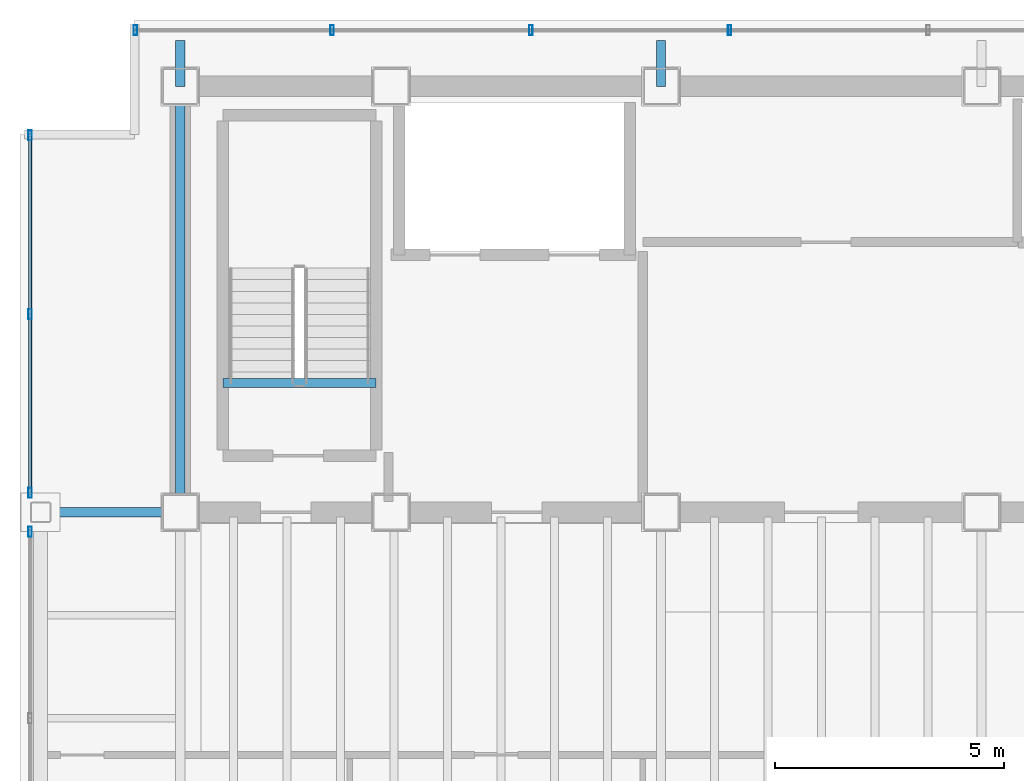
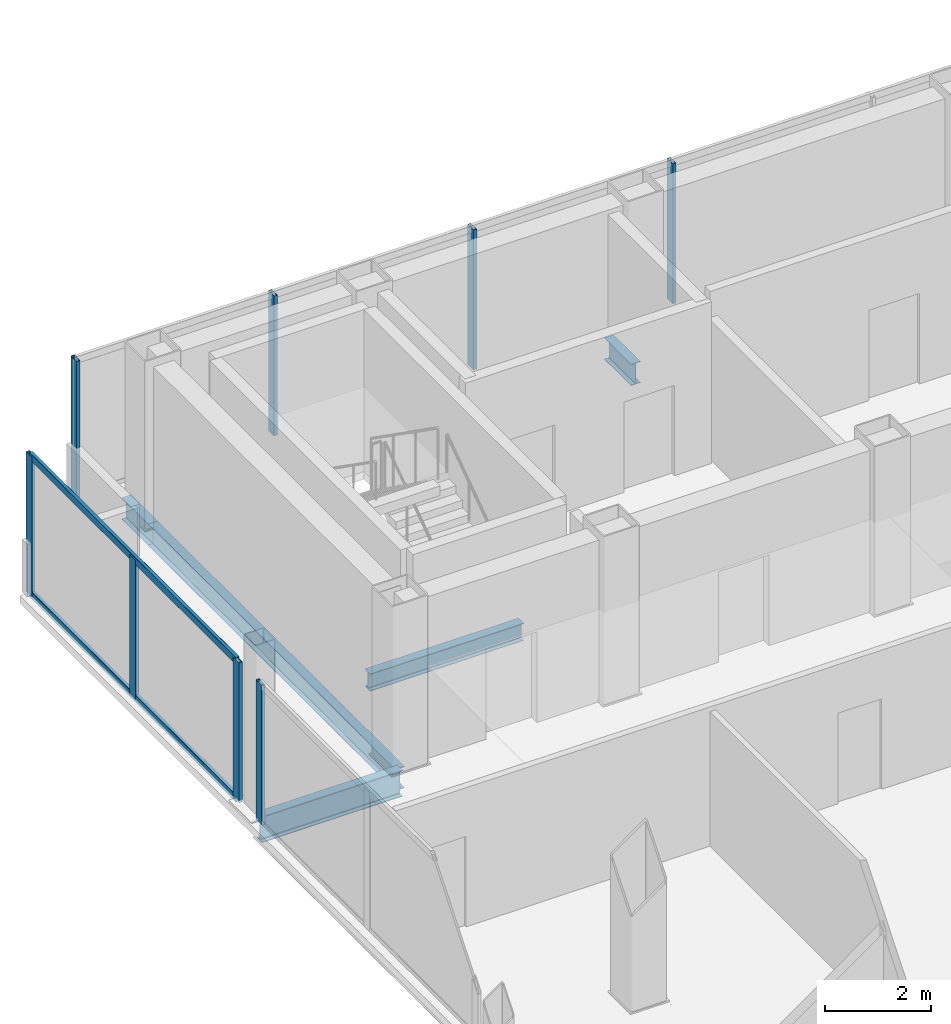
# One storey, part 6 of 15: 10 members, 5 beams, 3 elements without a shape of their own.
"""IFC4 building model written with IfcOpenShell, lengths in metres."""

from ifc_helpers import new_model, si_unit, direction, frame, origin, origin_2d, place, context, subcontext, project, spatial, hollow_rectangle, i_section, extrude, material, material_profile, profile_set, type_object, element, aggregate, save


model = new_model("IFC4")

# Units and contexts
model_context = context("Model", 3, precision=1e-05, world=origin(), true_north=direction((0.0, 1.0)))
body_context = subcontext(model_context, "Body", "Model", "MODEL_VIEW")
ifc_project = project(units=[si_unit("LENGTHUNIT", "METRE"), si_unit("AREAUNIT", "SQUARE_METRE"), si_unit("VOLUMEUNIT", "CUBIC_METRE"), si_unit("PLANEANGLEUNIT", "RADIAN"), si_unit("MASSUNIT", "GRAM", prefix="KILO")], contexts=[model_context])

# Site, building, storey
site_placement = place(None, origin())
site = spatial("IfcSite", under=ifc_project, at=site_placement, CompositionType="ELEMENT")
building_placement = place(site_placement, origin())
building = spatial("IfcBuilding", under=site, at=building_placement, Name="Noeulbin Bourse Tower", CompositionType="ELEMENT")
storey_placement = place(building_placement, frame((0.0, 0.0, 222.800048828125)))
storey = spatial("IfcBuildingStorey", under=building, at=storey_placement, Name="L55", CompositionType="ELEMENT", Elevation=222.800048828125)

# Beams
ifc_material_1 = material(Name="Steel S355", Category="steel")
ifc_material_profile_1 = material_profile(ifc_material_1, i_section(OverallWidth=0.199951171875, OverallDepth=0.5, WebThickness=0.010009765625, FlangeThickness=0.01611328125, FilletRadius=0.02001953125, at=origin_2d()), Name="H-500x200x10x16", Category="LoadBearing")
ifc_profile_set_1 = profile_set([ifc_material_profile_1], Name="Steel S355")
beam_type_1 = type_object("IfcBeamType", Name="BM-GRD-500", PredefinedType="USERDEFINED", material=ifc_profile_set_1)
beam_1_placement = place(storey_placement, frame((13.5, 29.0, -0.429931640625), z_axis=(0.0, 1.0, 0.0), x_axis=(-1.0, 0.0, 0.0)))
element("IfcBeam", 1, at=beam_1_placement, inside=storey, type_object=beam_type_1, Name="Tower Primary Girder NS L55-1.3", ObjectType="GIRDER", PredefinedType="USERDEFINED", context=body_context, shape_type="SweptSolid", body=[
    extrude(i_section(OverallWidth=0.199951171875, OverallDepth=0.5, WebThickness=0.010009765625, FlangeThickness=0.01611328125, FilletRadius=0.02001953125, at=origin_2d()), origin(), (0.0, 0.0, 1.0), 9.300048828125),
])
for number, where, z_axis, x_axis, name in (
    (2, (13.5, 38.300048828125, -0.429931640625), (0.0, 1.0, 0.0), (-1.0, 0.0, 0.0), "Tower Primary Girder NS L55-1.4"),
    (3, (24.0, 38.300048828125, -0.429931640625), (0.0, 1.0, 0.0), (-1.0, 0.0, 0.0), "Tower Primary Girder NS L55-2.4"),
):
    element("IfcBeam", number, at=place(storey_placement, frame(where, z_axis=z_axis, x_axis=x_axis)), inside=storey, type_object=beam_type_1, Name=name, ObjectType="GIRDER", PredefinedType="USERDEFINED", context=body_context, shape_type="SweptSolid", body=[
        extrude(i_section(OverallWidth=0.199951171875, OverallDepth=0.5, WebThickness=0.010009765625, FlangeThickness=0.01611328125, FilletRadius=0.02001953125, at=origin_2d()), origin(), (0.0, 0.0, 1.0), 1.0),
    ])
ifc_material_profile_2 = material_profile(ifc_material_1, i_section(OverallWidth=0.199951171875, OverallDepth=0.60009765625, WebThickness=0.010986328125, FlangeThickness=0.01708984375, FilletRadius=0.02197265625, at=origin_2d()), Name="H-600x200x11x17", Category="LoadBearing")
ifc_profile_set_2 = profile_set([ifc_material_profile_2], Name="Steel S355")
beam_type_2 = type_object("IfcBeamType", Name="BM-GRD-600", PredefinedType="USERDEFINED", material=ifc_profile_set_2)
beam_2_placement = place(storey_placement, frame((10.449951171875, 29.0, -0.47998046875), z_axis=(1.0, 0.0, 0.0), x_axis=(0.0, 1.0, 0.0)))
element("IfcBeam", 4, at=beam_2_placement, inside=storey, type_object=beam_type_2, Name="Tower Primary Girder EW L55-2.1", ObjectType="GIRDER", PredefinedType="USERDEFINED", context=body_context, shape_type="SweptSolid", body=[
    extrude(i_section(OverallWidth=0.199951171875, OverallDepth=0.60009765625, WebThickness=0.010986328125, FlangeThickness=0.01708984375, FilletRadius=0.02197265625, at=origin_2d()), origin(), (0.0, 0.0, 1.0), 3.050048828125),
])
ifc_material_profile_3 = material_profile(ifc_material_1, i_section(OverallWidth=0.199951171875, OverallDepth=0.39990234375, WebThickness=0.008056640625, FlangeThickness=0.012939453125, FilletRadius=0.01611328125, at=origin_2d()), Name="H-400x200x8x13", Category="LoadBearing")
ifc_profile_set_3 = profile_set([ifc_material_profile_3], Name="Steel S355")
beam_type_3 = type_object("IfcBeamType", Name="BM-SEC-400", PredefinedType="BEAM", material=ifc_profile_set_3)
beam_3_placement = place(storey_placement, frame((14.429931640625, 31.820068359375, -0.199951171875), z_axis=(1.0, 0.0, 0.0), x_axis=(0.0, 1.0, 0.0)))
element("IfcBeam", 5, at=beam_3_placement, inside=storey, type_object=beam_type_3, Name="Stair Threshold Trimmer Beam ST1-L55", PredefinedType="BEAM", context=body_context, shape_type="SweptSolid", body=[
    extrude(i_section(OverallWidth=0.199951171875, OverallDepth=0.39990234375, WebThickness=0.008056640625, FlangeThickness=0.012939453125, FilletRadius=0.01611328125, at=origin_2d()), origin(), (0.0, 0.0, 1.0), 3.340087890625),
])

# Curtain wall, members
ifc_material_2 = material(Name="High-Selectivity Low-Iron Glazing", Category="glass")
curtain_wall_type = type_object("IfcCurtainWallType", Name="CW-SYS-4", PredefinedType="NOTDEFINED", material=ifc_material_2)
curtain_wall_1_placement = place(storey_placement, origin())
curtain_wall_1 = element("IfcCurtainWall", 6, at=curtain_wall_1_placement, inside=storey, type_object=curtain_wall_type, Name="Unitised Curtain Wall CW-L55-N", PredefinedType="NOTDEFINED")
ifc_material_3 = material(Name="Anodised Aluminium 6063-T6", Category="aluminium")
ifc_material_profile_4 = material_profile(ifc_material_3, hollow_rectangle(XDim=0.074951171875, YDim=0.219970703125, WallThickness=0.0048828125, InnerFilletRadius=0.00244140625, OuterFilletRadius=0.0048828125, at=origin_2d()), Name="ALU-MULL-75x220x5", Category="LoadBearing")
ifc_profile_set_4 = profile_set([ifc_material_profile_4], Name="Anodised Aluminium 6063-T6")
member_type_1 = type_object("IfcMemberType", Name="CW-SYS-4-MUL", PredefinedType="MULLION", material=ifc_profile_set_4)
member_1_placement = place(storey_placement, frame((12.52001953125, 39.530029296875, -0.02001953125), z_axis=(0.0, 0.0, 1.0), x_axis=(1.0, 0.0, 0.0)))
member_1 = element("IfcMember", 7, at=member_1_placement, type_object=member_type_1, Name="Curtain Wall Mullion CW-L55-N-M00", PredefinedType="MULLION", context=body_context, shape_type="SweptSolid", body=[
    extrude(hollow_rectangle(XDim=0.074951171875, YDim=0.219970703125, WallThickness=0.0048828125, InnerFilletRadius=0.00244140625, OuterFilletRadius=0.0048828125, at=origin_2d()), origin(), (0.0, 0.0, 1.0), 3.219970703125),
])
member_2_placement = place(storey_placement, frame((16.81787109375, 39.530029296875, -0.02001953125), z_axis=(0.0, 0.0, 1.0), x_axis=(1.0, 0.0, 0.0)))
member_2 = element("IfcMember", 8, at=member_2_placement, type_object=member_type_1, Name="Curtain Wall Mullion CW-L55-N-M01", PredefinedType="MULLION", context=body_context, shape_type="SweptSolid", body=[
    extrude(hollow_rectangle(XDim=0.074951171875, YDim=0.219970703125, WallThickness=0.0048828125, InnerFilletRadius=0.00244140625, OuterFilletRadius=0.0048828125, at=origin_2d()), origin(), (0.0, 0.0, 1.0), 3.219970703125),
])
member_3_placement = place(storey_placement, frame((21.155517578125, 39.530029296875, -0.02001953125), z_axis=(0.0, 0.0, 1.0), x_axis=(1.0, 0.0, 0.0)))
member_3 = element("IfcMember", 9, at=member_3_placement, type_object=member_type_1, Name="Curtain Wall Mullion CW-L55-N-M02", PredefinedType="MULLION", context=body_context, shape_type="SweptSolid", body=[
    extrude(hollow_rectangle(XDim=0.074951171875, YDim=0.219970703125, WallThickness=0.0048828125, InnerFilletRadius=0.00244140625, OuterFilletRadius=0.0048828125, at=origin_2d()), origin(), (0.0, 0.0, 1.0), 3.219970703125),
])
member_4_placement = place(storey_placement, frame((25.493408203125, 39.530029296875, -0.02001953125), z_axis=(0.0, 0.0, 1.0), x_axis=(1.0, 0.0, 0.0)))
member_4 = element("IfcMember", 10, at=member_4_placement, type_object=member_type_1, Name="Curtain Wall Mullion CW-L55-N-M03", PredefinedType="MULLION", context=body_context, shape_type="SweptSolid", body=[
    extrude(hollow_rectangle(XDim=0.074951171875, YDim=0.219970703125, WallThickness=0.0048828125, InnerFilletRadius=0.00244140625, OuterFilletRadius=0.0048828125, at=origin_2d()), origin(), (0.0, 0.0, 1.0), 3.219970703125),
])
aggregate(curtain_wall_1, [member_1, member_2, member_3, member_4])

# Curtain wall, member
curtain_wall_2_placement = place(storey_placement, origin())
curtain_wall_2 = element("IfcCurtainWall", 11, at=curtain_wall_2_placement, inside=storey, type_object=curtain_wall_type, Name="Unitised Curtain Wall CW-L55-W-S2", PredefinedType="NOTDEFINED")
member_5_placement = place(storey_placement, frame((10.219970703125, 28.574951171875, -0.02001953125), z_axis=(0.0, 0.0, 1.0), x_axis=(1.0, 0.0, 0.0)))
member_5 = element("IfcMember", 12, at=member_5_placement, type_object=member_type_1, Name="Curtain Wall Mullion CW-L55-W-S2-M02", PredefinedType="MULLION", context=body_context, shape_type="SweptSolid", body=[
    extrude(hollow_rectangle(XDim=0.074951171875, YDim=0.219970703125, WallThickness=0.0048828125, InnerFilletRadius=0.00244140625, OuterFilletRadius=0.0048828125, at=origin_2d()), origin(), (0.0, 0.0, 1.0), 3.219970703125),
])
aggregate(curtain_wall_2, [member_5])

# Curtain wall, members
curtain_wall_3_placement = place(storey_placement, origin())
curtain_wall_3 = element("IfcCurtainWall", 13, at=curtain_wall_3_placement, inside=storey, type_object=curtain_wall_type, Name="Unitised Curtain Wall CW-L55-W-S3", PredefinedType="NOTDEFINED")
member_6_placement = place(storey_placement, frame((10.219970703125, 29.425048828125, -0.02001953125), z_axis=(0.0, 0.0, 1.0), x_axis=(1.0, 0.0, 0.0)))
member_6 = element("IfcMember", 14, at=member_6_placement, type_object=member_type_1, Name="Curtain Wall Mullion CW-L55-W-S3-M00", PredefinedType="MULLION", context=body_context, shape_type="SweptSolid", body=[
    extrude(hollow_rectangle(XDim=0.074951171875, YDim=0.219970703125, WallThickness=0.0048828125, InnerFilletRadius=0.00244140625, OuterFilletRadius=0.0048828125, at=origin_2d()), origin(), (0.0, 0.0, 1.0), 3.219970703125),
])
member_7_placement = place(storey_placement, frame((10.219970703125, 33.327392578125, -0.02001953125), z_axis=(0.0, 0.0, 1.0), x_axis=(1.0, 0.0, 0.0)))
member_7 = element("IfcMember", 15, at=member_7_placement, type_object=member_type_1, Name="Curtain Wall Mullion CW-L55-W-S3-M01", PredefinedType="MULLION", context=body_context, shape_type="SweptSolid", body=[
    extrude(hollow_rectangle(XDim=0.074951171875, YDim=0.219970703125, WallThickness=0.0048828125, InnerFilletRadius=0.00244140625, OuterFilletRadius=0.0048828125, at=origin_2d()), origin(), (0.0, 0.0, 1.0), 3.219970703125),
])
member_8_placement = place(storey_placement, frame((10.219970703125, 37.22998046875, -0.02001953125), z_axis=(0.0, 0.0, 1.0), x_axis=(1.0, 0.0, 0.0)))
member_8 = element("IfcMember", 16, at=member_8_placement, type_object=member_type_1, Name="Curtain Wall Mullion CW-L55-W-S3-M02", PredefinedType="MULLION", context=body_context, shape_type="SweptSolid", body=[
    extrude(hollow_rectangle(XDim=0.074951171875, YDim=0.219970703125, WallThickness=0.0048828125, InnerFilletRadius=0.00244140625, OuterFilletRadius=0.0048828125, at=origin_2d()), origin(), (0.0, 0.0, 1.0), 3.219970703125),
])
ifc_material_profile_5 = material_profile(ifc_material_3, hollow_rectangle(XDim=0.074951171875, YDim=0.159912109375, WallThickness=0.0048828125, InnerFilletRadius=0.00244140625, OuterFilletRadius=0.0048828125, at=origin_2d()), Name="ALU-TRAN-75x160x5", Category="LoadBearing")
ifc_profile_set_5 = profile_set([ifc_material_profile_5], Name="Anodised Aluminium 6063-T6")
member_type_2 = type_object("IfcMemberType", Name="CW-SYS-4-TRN", PredefinedType="USERDEFINED", material=ifc_profile_set_5)
member_9_placement = place(storey_placement, frame((10.219970703125, 29.43505859375, 0.010009765625), z_axis=(0.0, 1.0, 0.0), x_axis=(-1.0, 0.0, 0.0)))
member_9 = element("IfcMember", 17, at=member_9_placement, type_object=member_type_2, Name="Curtain Wall Transom CW-L55-W-S3-T00", ObjectType="TRANSOM", PredefinedType="USERDEFINED", context=body_context, shape_type="SweptSolid", body=[
    extrude(hollow_rectangle(XDim=0.074951171875, YDim=0.159912109375, WallThickness=0.0048828125, InnerFilletRadius=0.00244140625, OuterFilletRadius=0.0048828125, at=origin_2d()), origin(), (0.0, 0.0, 1.0), 7.784912109375),
])
member_10_placement = place(storey_placement, frame((10.219970703125, 29.43505859375, 3.169921875), z_axis=(0.0, 1.0, 0.0), x_axis=(-1.0, 0.0, 0.0)))
member_10 = element("IfcMember", 18, at=member_10_placement, type_object=member_type_2, Name="Curtain Wall Transom CW-L55-W-S3-T01", ObjectType="TRANSOM", PredefinedType="USERDEFINED", context=body_context, shape_type="SweptSolid", body=[
    extrude(hollow_rectangle(XDim=0.074951171875, YDim=0.159912109375, WallThickness=0.0048828125, InnerFilletRadius=0.00244140625, OuterFilletRadius=0.0048828125, at=origin_2d()), origin(), (0.0, 0.0, 1.0), 7.784912109375),
])
aggregate(curtain_wall_3, [member_6, member_7, member_8, member_9, member_10])

save(model, "model.ifc")
